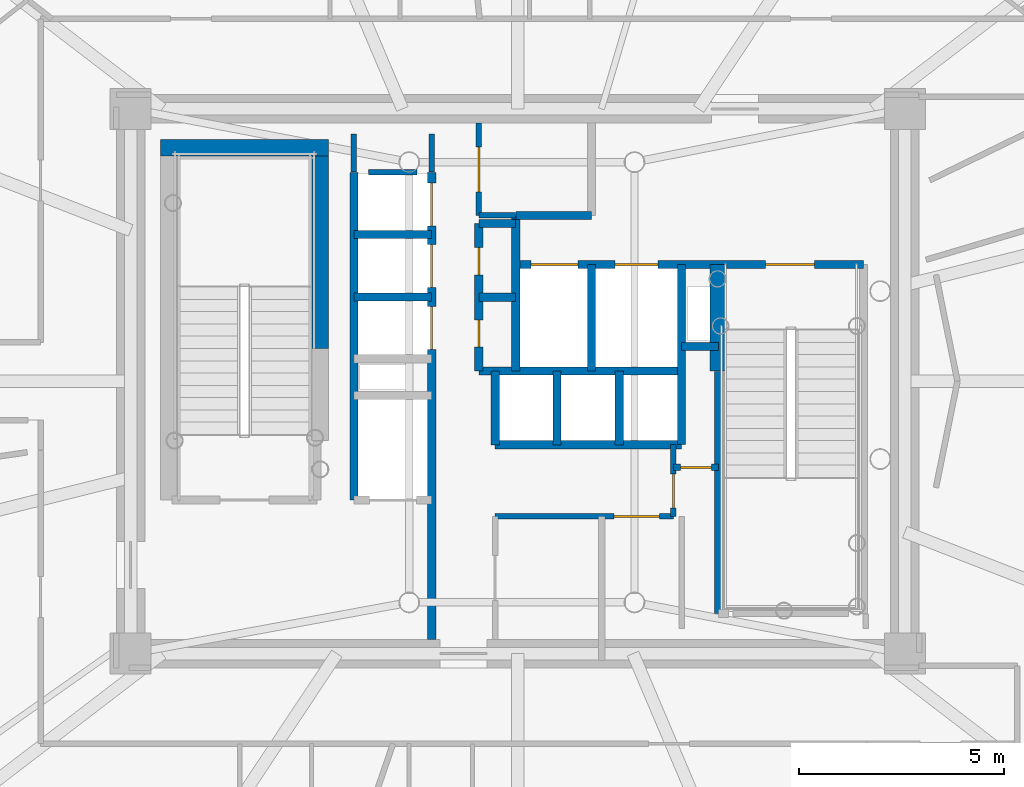
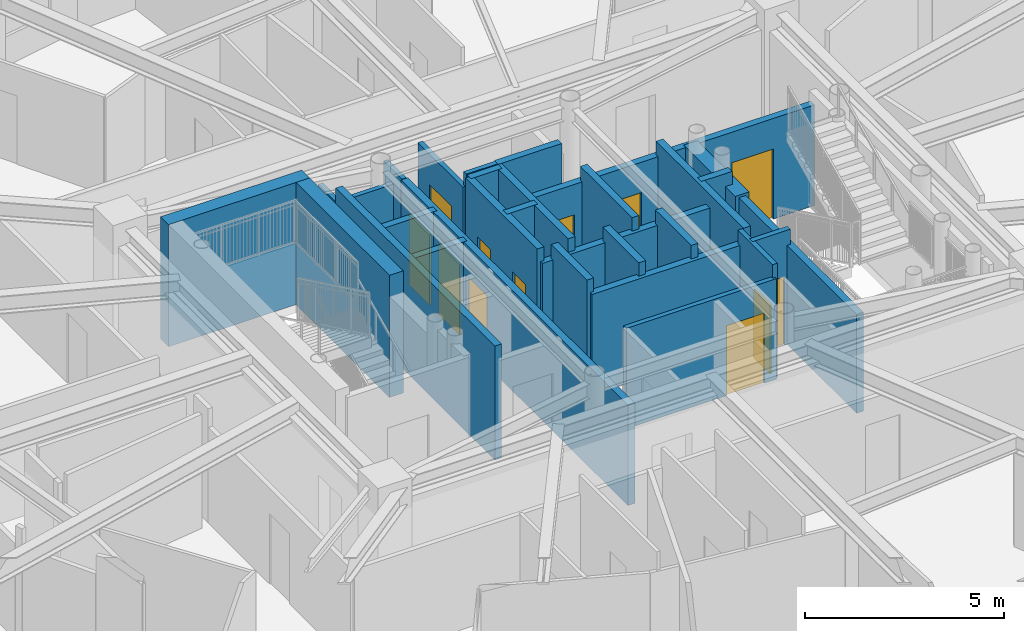
# One storey, part 9 of 19: 30 walls, 12 doors, 12 openings.
"""IFC4 building model written with IfcOpenShell, lengths in metres."""

from ifc_helpers import new_model, si_unit, direction, frame, frame_2d, origin, origin_2d, place, context, subcontext, project, spatial, rectangle, extrude, source, transform, mapped, material, layer, layer_set, type_object, element, fill, save


model = new_model("IFC4")

# Units and contexts
model_context = context("Model", 3, precision=1e-05, world=origin(), true_north=direction((0.0, 1.0)))
body_context = subcontext(model_context, "Body", "Model", "MODEL_VIEW")
ifc_project = project(units=[si_unit("LENGTHUNIT", "METRE"), si_unit("AREAUNIT", "SQUARE_METRE"), si_unit("VOLUMEUNIT", "CUBIC_METRE"), si_unit("PLANEANGLEUNIT", "RADIAN"), si_unit("MASSUNIT", "GRAM", prefix="KILO")], contexts=[model_context])

# Site, building, storey
site_placement = place(None, origin())
site = spatial("IfcSite", under=ifc_project, at=site_placement, CompositionType="ELEMENT")
building_placement = place(site_placement, origin())
building = spatial("IfcBuilding", under=site, at=building_placement, Name="Linh Dai School and Residence Tower", CompositionType="ELEMENT")
storey_placement = place(building_placement, frame((0.0, 0.0, 236.550048828125)))
storey = spatial("IfcBuildingStorey", under=building, at=storey_placement, Name="L58", CompositionType="ELEMENT", Elevation=236.550048828125)

# Wall, opening, door
ifc_material_1 = material(Name="Autoclaved Aerated Concrete Blockwork", Category="masonry")
ifc_layer_1 = layer(ifc_material_1, 0.135009765625)
ifc_layer_set_1 = layer_set([ifc_layer_1], Name="Autoclaved Aerated Concrete Blockwork")
wall_type_1 = type_object("IfcWallType", Name="IW-CORR-135-EI90", PredefinedType="PARTITIONING", material=ifc_layer_set_1)
wall_1_placement = place(storey_placement, frame((35.050048828125, 31.050048828125, 0.0), z_axis=(0.0, 0.0, 1.0), x_axis=(0.0, 1.0, 0.0)))
wall_1 = element("IfcWall", 1, at=wall_1_placement, inside=storey, type_object=wall_type_1, Name="L58 Interior Partition Wall 050", PredefinedType="PARTITIONING", context=body_context, shape_type="SweptSolid", body=[
    extrude(rectangle(XDim=2.25, YDim=0.135009765625, at=frame_2d((1.125, 0.0))), origin(), (0.0, 0.0, 1.0), 3.0849609375),
])
opening_1_placement = place(wall_1_placement, frame((0.574951171875, 0.0, 0.0)))
opening_1 = element("IfcOpeningElement", 2, at=opening_1_placement, cuts=wall_1, Name="Opening D07", PredefinedType="OPENING", context=body_context, shape_type="SweptSolid", body=[
    extrude(rectangle(XDim=1.10009765625, YDim=2.14990234375, at=origin_2d()), frame((0.550048828125, 0.07763671875, 1.074951171875), z_axis=(0.0, -1.0, 0.0), x_axis=(1.0, 0.0, 0.0)), (0.0, 0.0, 1.0), 0.155029296875),
])
ifc_material_2 = material(Name="Fire-Rated Louvred Steel Plant Door", Category="steel")
door_type_1 = type_object("IfcDoorType", Name="DR-PLT-1100x2150-FD60S", OperationType="NOTDEFINED", PredefinedType="DOOR", material=ifc_material_2)
shared_shape_1 = source(origin(), body_context, "Body", "SweptSolid", [
    extrude(rectangle(XDim=1.10009765625, YDim=2.14990234375, at=origin_2d()), frame((0.550048828125, 0.02490234375, 1.074951171875), z_axis=(0.0, -1.0, 0.0), x_axis=(1.0, 0.0, 0.0)), (0.0, 0.0, 1.0), 0.050048828125),
])
door_1_placement = place(opening_1_placement, origin())
door_1 = element("IfcDoor", 3, at=door_1_placement, inside=storey, type_object=door_type_1, Name="L58 North Telecom Switchroom Door", OperationType="SINGLE_SWING_RIGHT", OverallHeight=2.14990234375, OverallWidth=1.10009765625, PredefinedType="DOOR", context=body_context, shape_type="MappedRepresentation", body=[
    mapped(shared_shape_1, transform((0.0, 0.0, 0.0), x_axis=(1.0, 0.0, 0.0), y_axis=(0.0, 1.0, 0.0), z_axis=(0.0, 0.0, 1.0), scale=1.0)),
])
fill(opening_1, door_1)

# Wall
wall_2_placement = place(storey_placement, frame((35.050048828125, 31.050048828125, 0.0), z_axis=(0.0, 0.0, 1.0), x_axis=(1.0, 0.0, 0.0)))
element("IfcWall", 4, at=wall_2_placement, inside=storey, type_object=wall_type_1, Name="L58 Interior Partition Wall 051", PredefinedType="PARTITIONING", context=body_context, shape_type="SweptSolid", body=[
    extrude(rectangle(XDim=0.89990234375, YDim=0.135009765625, at=frame_2d((0.449951171875, 0.0))), origin(), (0.0, 0.0, 1.0), 3.5),
])

# Wall, opening, door
wall_3_placement = place(storey_placement, frame((35.449951171875, 23.699951171875, 0.0), z_axis=(0.0, 0.0, 1.0), x_axis=(1.0, 0.0, 0.0)))
wall_3 = element("IfcWall", 5, at=wall_3_placement, inside=storey, type_object=wall_type_1, Name="L58 Interior Partition Wall 053", PredefinedType="PARTITIONING", context=body_context, shape_type="SweptSolid", body=[
    extrude(rectangle(XDim=4.35009765625, YDim=0.135009765625, at=frame_2d((2.175048828125, 0.0))), origin(), (0.0, 0.0, 1.0), 3.0849609375),
])
opening_2_placement = place(wall_3_placement, frame((2.905029296875, 0.0, 0.0)))
opening_2 = element("IfcOpeningElement", 6, at=opening_2_placement, cuts=wall_3, Name="Opening D07", PredefinedType="OPENING", context=body_context, shape_type="SweptSolid", body=[
    extrude(rectangle(XDim=1.10009765625, YDim=2.14990234375, at=origin_2d()), frame((0.550048828125, 0.07763671875, 1.074951171875), z_axis=(0.0, -1.0, 0.0), x_axis=(1.0, 0.0, 0.0)), (0.0, 0.0, 1.0), 0.155029296875),
])
door_2_placement = place(opening_2_placement, origin())
door_2 = element("IfcDoor", 7, at=door_2_placement, inside=storey, type_object=door_type_1, Name="L58 Telecom Node Room Door", OperationType="SINGLE_SWING_LEFT", OverallHeight=2.14990234375, OverallWidth=1.10009765625, PredefinedType="DOOR", context=body_context, shape_type="MappedRepresentation", body=[
    mapped(shared_shape_1, transform((0.0, 0.0, 0.0), x_axis=(1.0, 0.0, 0.0), y_axis=(0.0, 1.0, 0.0), z_axis=(0.0, 0.0, 1.0), scale=1.0)),
])
fill(opening_2, door_2)

wall_4_placement = place(storey_placement, frame((39.800048828125, 23.699951171875, 0.0), z_axis=(0.0, 0.0, 1.0), x_axis=(0.0, 1.0, 0.0)))
wall_4 = element("IfcWall", 8, at=wall_4_placement, inside=storey, type_object=wall_type_1, Name="L58 Interior Partition Wall 070", PredefinedType="PARTITIONING", context=body_context, shape_type="SweptSolid", body=[
    extrude(rectangle(XDim=1.75, YDim=0.135009765625, at=frame_2d((0.875, 0.0))), origin(), (0.0, 0.0, 1.0), 3.5),
])
opening_3_placement = place(wall_4_placement, frame((0.2099609375, 0.0, 0.0)))
opening_3 = element("IfcOpeningElement", 9, at=opening_3_placement, cuts=wall_4, Name="Opening D06", PredefinedType="OPENING", context=body_context, shape_type="SweptSolid", body=[
    extrude(rectangle(XDim=0.820068359375, YDim=2.10009765625, at=origin_2d()), frame((0.41015625, 0.07763671875, 1.050048828125), z_axis=(0.0, -1.0, 0.0), x_axis=(1.0, 0.0, 0.0)), (0.0, 0.0, 1.0), 0.155029296875),
])
ifc_material_3 = material(Name="Moisture-Resistant Timber Bathroom Door", Category="wood")
door_type_2 = type_object("IfcDoorType", Name="DR-WET-820x2100", OperationType="NOTDEFINED", PredefinedType="DOOR", material=ifc_material_3)
shared_shape_2 = source(origin(), body_context, "Body", "SweptSolid", [
    extrude(rectangle(XDim=0.820068359375, YDim=2.10009765625, at=origin_2d()), frame((0.41015625, 0.02490234375, 1.050048828125), z_axis=(0.0, -1.0, 0.0), x_axis=(1.0, 0.0, 0.0)), (0.0, 0.0, 1.0), 0.050048828125),
])
door_3_placement = place(opening_3_placement, origin())
door_3 = element("IfcDoor", 10, at=door_3_placement, inside=storey, type_object=door_type_2, Name="L58 SE Electrical Closet Door", OperationType="SINGLE_SWING_LEFT", OverallHeight=2.10009765625, OverallWidth=0.820068359375, PredefinedType="DOOR", context=body_context, shape_type="MappedRepresentation", body=[
    mapped(shared_shape_2, transform((0.0, 0.0, 0.0), x_axis=(1.0, 0.0, 0.0), y_axis=(0.0, 1.0, 0.0), z_axis=(0.0, 0.0, 1.0), scale=1.0)),
])
fill(opening_3, door_3)

# Walls
wall_5_placement = place(storey_placement, frame((32.360107421875, 32.10009765625, 0.0), z_axis=(0.0, 0.0, 1.0), x_axis=(1.0, 0.0, 0.0)))
element("IfcWall", 11, at=wall_5_placement, inside=storey, type_object=wall_type_1, Name="L58 Interior Partition Wall 102", PredefinedType="PARTITIONING", context=body_context, shape_type="SweptSolid", body=[
    extrude(rectangle(XDim=1.179931640625, YDim=0.135009765625, at=frame_2d((0.58984375, 0.0))), origin(), (0.0, 0.0, 1.0), 3.0849609375),
])
wall_6_placement = place(storey_placement, frame((32.0, 33.0400390625, 0.0), z_axis=(0.0, 0.0, 1.0), x_axis=(0.0, -1.0, 0.0)))
element("IfcWall", 12, at=wall_6_placement, inside=storey, type_object=wall_type_1, Name="L58 Interior Partition Wall 104", PredefinedType="PARTITIONING", context=body_context, shape_type="SweptSolid", body=[
    extrude(rectangle(XDim=0.929931640625, YDim=0.135009765625, at=frame_2d((0.46484375, 0.0))), origin(), (0.0, 0.0, 1.0), 3.034912109375),
])
wall_7_placement = place(storey_placement, frame((33.89990234375, 32.110107421875, 0.0), z_axis=(0.0, 0.0, 1.0), x_axis=(0.0, 1.0, 0.0)))
element("IfcWall", 13, at=wall_7_placement, inside=storey, type_object=wall_type_1, Name="L58 Interior Partition Wall 106", PredefinedType="PARTITIONING", context=body_context, shape_type="SweptSolid", body=[
    extrude(rectangle(XDim=0.929931640625, YDim=0.135009765625, at=frame_2d((0.46484375, 0.0))), origin(), (0.0, 0.0, 1.0), 3.0849609375),
])

# Wall, opening, door
ifc_layer_2 = layer(ifc_material_1, 0.14990234375)
ifc_layer_set_2 = layer_set([ifc_layer_2], Name="Autoclaved Aerated Concrete Blockwork")
wall_type_2 = type_object("IfcWallType", Name="IW-SCH-150-EI60", PredefinedType="PARTITIONING", material=ifc_layer_set_2)
wall_8_placement = place(storey_placement, frame((39.800048828125, 24.89990234375, 0.0), z_axis=(0.0, 0.0, 1.0), x_axis=(1.0, 0.0, 0.0)))
wall_8 = element("IfcWall", 14, at=wall_8_placement, inside=storey, type_object=wall_type_2, Name="L58 Interior Partition Wall 071", PredefinedType="PARTITIONING", context=body_context, shape_type="SweptSolid", body=[
    extrude(rectangle(XDim=1.099853515625, YDim=0.14990234375, at=frame_2d((0.5498046875, 0.0))), origin(), (0.0, 0.0, 1.0), 3.5),
])
opening_4_placement = place(wall_8_placement, frame((0.169921875, 0.0, 0.0)))
opening_4 = element("IfcOpeningElement", 15, at=opening_4_placement, cuts=wall_8, Name="Opening D08", PredefinedType="OPENING", context=body_context, shape_type="SweptSolid", body=[
    extrude(rectangle(XDim=0.760009765625, YDim=2.10009765625, at=origin_2d()), frame((0.3798828125, 0.0849609375, 1.050048828125), z_axis=(0.0, -1.0, 0.0), x_axis=(1.0, 0.0, 0.0)), (0.0, 0.0, 1.0), 0.169921875),
])
ifc_material_4 = material(Name="Engineered Timber Closet and Study Door", Category="wood")
door_type_3 = type_object("IfcDoorType", Name="DR-CMP-760x2100", OperationType="NOTDEFINED", PredefinedType="DOOR", material=ifc_material_4)
shared_shape_3 = source(origin(), body_context, "Body", "SweptSolid", [
    extrude(rectangle(XDim=0.760009765625, YDim=2.10009765625, at=origin_2d()), frame((0.3798828125, 0.02490234375, 1.050048828125), z_axis=(0.0, -1.0, 0.0), x_axis=(1.0, 0.0, 0.0)), (0.0, 0.0, 1.0), 0.050048828125),
])
door_4_placement = place(opening_4_placement, origin())
door_4 = element("IfcDoor", 16, at=door_4_placement, inside=storey, type_object=door_type_3, Name="L58 NE Equipment Store Door", OperationType="SINGLE_SWING_RIGHT", OverallHeight=2.10009765625, OverallWidth=0.760009765625, PredefinedType="DOOR", context=body_context, shape_type="MappedRepresentation", body=[
    mapped(shared_shape_3, transform((0.0, 0.0, 0.0), x_axis=(1.0, 0.0, 0.0), y_axis=(0.0, 1.0, 0.0), z_axis=(0.0, 0.0, 1.0), scale=1.0)),
])
fill(opening_4, door_4)

# Walls
ifc_material_5 = material(Name="Concrete B45 (C35/45)", Category="concrete")
ifc_layer_3 = layer(ifc_material_5, 0.199951171875)
ifc_layer_set_3 = layer_set([ifc_layer_3], Name="Concrete B45 (C35/45)")
wall_type_3 = type_object("IfcWallType", Name="IW-SHAFT-200-EI120", PredefinedType="PARTITIONING", material=ifc_layer_set_3)
wall_9_placement = place(storey_placement, frame((32.0, 24.10009765625, 0.0), z_axis=(0.0, 0.0, 1.0), x_axis=(0.0, 1.0, 0.0)))
element("IfcWall", 17, at=wall_9_placement, inside=storey, type_object=wall_type_3, Name="L58 Interior Partition Wall 035", PredefinedType="PARTITIONING", context=body_context, shape_type="SweptSolid", body=[
    extrude(rectangle(XDim=8.0, YDim=0.199951171875, at=frame_2d((4.0, 0.0))), origin(), (0.0, 0.0, 1.0), 3.5),
])
for number, where, z_axis, x_axis, name in (
    (18, (32.0, 29.06005859375, 0.0), (0.0, 0.0, 1.0), (1.0, 0.0, 0.0), "L58 Interior Partition Wall 039"),
    (19, (32.0, 30.580078125, 0.0), (0.0, 0.0, 1.0), (1.0, 0.0, 0.0), "L58 Interior Partition Wall 040"),
):
    element("IfcWall", number, at=place(storey_placement, frame(where, z_axis=z_axis, x_axis=x_axis)), inside=storey, type_object=wall_type_3, Name=name, PredefinedType="PARTITIONING", context=body_context, shape_type="SweptSolid", body=[
        extrude(rectangle(XDim=1.89990234375, YDim=0.199951171875, at=frame_2d((0.949951171875, 0.0))), origin(), (0.0, 0.0, 1.0), 3.0849609375),
    ])

# Wall, openings, doors
wall_10_placement = place(storey_placement, frame((33.89990234375, 20.699951171875, 0.0), z_axis=(0.0, 0.0, 1.0), x_axis=(0.0, 1.0, 0.0)))
wall_10 = element("IfcWall", 20, at=wall_10_placement, inside=storey, type_object=wall_type_3, Name="L58 Interior Partition Wall 043", PredefinedType="PARTITIONING", context=body_context, shape_type="SweptSolid", body=[
    extrude(rectangle(XDim=11.400146484375, YDim=0.199951171875, at=frame_2d((5.7001953125, 0.0))), origin(), (0.0, 0.0, 1.0), 3.0849609375),
])
opening_5_placement = place(wall_10_placement, frame((7.080078125, 0.0, 0.0)))
opening_5 = element("IfcOpeningElement", 21, at=opening_5_placement, cuts=wall_10, Name="Opening LD-PL4", PredefinedType="OPENING", context=body_context, shape_type="SweptSolid", body=[
    extrude(rectangle(XDim=1.050048828125, YDim=2.14990234375, at=origin_2d()), frame((0.52490234375, 0.10986328125, 1.074951171875), z_axis=(0.0, -1.0, 0.0), x_axis=(1.0, 0.0, 0.0)), (0.0, 0.0, 1.0), 0.219970703125),
])
opening_6_placement = place(wall_10_placement, frame((8.594970703125, 0.0, 0.0)))
opening_6 = element("IfcOpeningElement", 22, at=opening_6_placement, cuts=wall_10, Name="Opening LD-PL5", PredefinedType="OPENING", context=body_context, shape_type="SweptSolid", body=[
    extrude(rectangle(XDim=1.050048828125, YDim=2.14990234375, at=origin_2d()), frame((0.52490234375, 0.10986328125, 1.074951171875), z_axis=(0.0, -1.0, 0.0), x_axis=(1.0, 0.0, 0.0)), (0.0, 0.0, 1.0), 0.219970703125),
])
opening_7_placement = place(wall_10_placement, frame((10.094970703125, 0.0, 0.0)))
opening_7 = element("IfcOpeningElement", 23, at=opening_7_placement, cuts=wall_10, Name="Opening LD-PL6", PredefinedType="OPENING", context=body_context, shape_type="SweptSolid", body=[
    extrude(rectangle(XDim=1.050048828125, YDim=2.14990234375, at=origin_2d()), frame((0.52490234375, 0.10986328125, 1.074951171875), z_axis=(0.0, -1.0, 0.0), x_axis=(1.0, 0.0, 0.0)), (0.0, 0.0, 1.0), 0.219970703125),
])
ifc_material_6 = material(Name="Brushed Stainless Steel Lift Landing Door", Category="steel")
door_type_4 = type_object("IfcDoorType", Name="DR-LD-PASS-1050x2150", OperationType="DOUBLE_DOOR_SLIDING", PredefinedType="USERDEFINED", material=ifc_material_6)
shared_shape_4 = source(origin(), body_context, "Body", "SweptSolid", [
    extrude(rectangle(XDim=1.050048828125, YDim=2.14990234375, at=origin_2d()), frame((0.52490234375, 0.02490234375, 1.074951171875), z_axis=(0.0, -1.0, 0.0), x_axis=(1.0, 0.0, 0.0)), (0.0, 0.0, 1.0), 0.050048828125),
])
door_5_placement = place(opening_5_placement, origin())
door_5 = element("IfcDoor", 24, at=door_5_placement, inside=storey, type_object=door_type_4, Name="L58 Lift PL4 Sliding Landing Door", ObjectType="LANDING DOOR", OperationType="DOUBLE_DOOR_SLIDING", OverallHeight=2.14990234375, OverallWidth=1.050048828125, PredefinedType="USERDEFINED", context=body_context, shape_type="MappedRepresentation", body=[
    mapped(shared_shape_4, transform((0.0, 0.0, 0.0), x_axis=(1.0, 0.0, 0.0), y_axis=(0.0, 1.0, 0.0), z_axis=(0.0, 0.0, 1.0), scale=1.0)),
])
fill(opening_5, door_5)
door_6_placement = place(opening_6_placement, origin())
door_6 = element("IfcDoor", 25, at=door_6_placement, inside=storey, type_object=door_type_4, Name="L58 Lift PL5 Sliding Landing Door", ObjectType="LANDING DOOR", OperationType="DOUBLE_DOOR_SLIDING", OverallHeight=2.14990234375, OverallWidth=1.050048828125, PredefinedType="USERDEFINED", context=body_context, shape_type="MappedRepresentation", body=[
    mapped(shared_shape_4, transform((0.0, 0.0, 0.0), x_axis=(1.0, 0.0, 0.0), y_axis=(0.0, 1.0, 0.0), z_axis=(0.0, 0.0, 1.0), scale=1.0)),
])
fill(opening_6, door_6)
door_7_placement = place(opening_7_placement, origin())
door_7 = element("IfcDoor", 26, at=door_7_placement, inside=storey, type_object=door_type_4, Name="L58 Lift PL6 Sliding Landing Door", ObjectType="LANDING DOOR", OperationType="DOUBLE_DOOR_SLIDING", OverallHeight=2.14990234375, OverallWidth=1.050048828125, PredefinedType="USERDEFINED", context=body_context, shape_type="MappedRepresentation", body=[
    mapped(shared_shape_4, transform((0.0, 0.0, 0.0), x_axis=(1.0, 0.0, 0.0), y_axis=(0.0, 1.0, 0.0), z_axis=(0.0, 0.0, 1.0), scale=1.0)),
])
fill(opening_7, door_7)

wall_11_placement = place(storey_placement, frame((35.050048828125, 27.25, 0.0), z_axis=(0.0, 0.0, 1.0), x_axis=(0.0, 1.0, 0.0)))
wall_11 = element("IfcWall", 27, at=wall_11_placement, inside=storey, type_object=wall_type_3, Name="L58 Interior Partition Wall 046", PredefinedType="PARTITIONING", context=body_context, shape_type="SweptSolid", body=[
    extrude(rectangle(XDim=3.60009765625, YDim=0.199951171875, at=frame_2d((1.800048828125, 0.0))), origin(), (0.0, 0.0, 1.0), 3.5),
])
opening_8_placement = place(wall_11_placement, frame((0.590087890625, 0.0, 0.0)))
opening_8 = element("IfcOpeningElement", 28, at=opening_8_placement, cuts=wall_11, Name="Opening AD1", PredefinedType="OPENING", context=body_context, shape_type="SweptSolid", body=[
    extrude(rectangle(XDim=0.659912109375, YDim=2.050048828125, at=origin_2d()), frame((0.330078125, 0.10986328125, 1.02490234375), z_axis=(0.0, -1.0, 0.0), x_axis=(1.0, 0.0, 0.0)), (0.0, 0.0, 1.0), 0.219970703125),
])
opening_9_placement = place(wall_11_placement, frame((2.35009765625, 0.0, 0.0)))
opening_9 = element("IfcOpeningElement", 29, at=opening_9_placement, cuts=wall_11, Name="Opening AD1", PredefinedType="OPENING", context=body_context, shape_type="SweptSolid", body=[
    extrude(rectangle(XDim=0.659912109375, YDim=2.050048828125, at=origin_2d()), frame((0.330078125, 0.10986328125, 1.02490234375), z_axis=(0.0, -1.0, 0.0), x_axis=(1.0, 0.0, 0.0)), (0.0, 0.0, 1.0), 0.219970703125),
])
ifc_material_7 = material(Name="Fire-Rated Steel Riser Access Door", Category="steel")
door_type_5 = type_object("IfcDoorType", Name="DR-ACC-660x2050-FD90S", OperationType="NOTDEFINED", PredefinedType="USERDEFINED", material=ifc_material_7)
shared_shape_5 = source(origin(), body_context, "Body", "SweptSolid", [
    extrude(rectangle(XDim=0.659912109375, YDim=2.050048828125, at=origin_2d()), frame((0.330078125, 0.02490234375, 1.02490234375), z_axis=(0.0, -1.0, 0.0), x_axis=(1.0, 0.0, 0.0)), (0.0, 0.0, 1.0), 0.050048828125),
])
door_8_placement = place(opening_8_placement, origin())
door_8 = element("IfcDoor", 30, at=door_8_placement, inside=storey, type_object=door_type_5, Name="L58 Telecom and Data Riser Access Door", ObjectType="ACCESS DOOR", OperationType="SINGLE_SWING_RIGHT", OverallHeight=2.050048828125, OverallWidth=0.659912109375, PredefinedType="USERDEFINED", context=body_context, shape_type="MappedRepresentation", body=[
    mapped(shared_shape_5, transform((0.0, 0.0, 0.0), x_axis=(1.0, 0.0, 0.0), y_axis=(0.0, 1.0, 0.0), z_axis=(0.0, 0.0, 1.0), scale=1.0)),
])
fill(opening_8, door_8)
door_9_placement = place(opening_9_placement, origin())
door_9 = element("IfcDoor", 31, at=door_9_placement, inside=storey, type_object=door_type_5, Name="L58 Mechanical and Plumbing Riser Access Door", ObjectType="ACCESS DOOR", OperationType="SINGLE_SWING_LEFT", OverallHeight=2.050048828125, OverallWidth=0.659912109375, PredefinedType="USERDEFINED", context=body_context, shape_type="MappedRepresentation", body=[
    mapped(shared_shape_5, transform((0.0, 0.0, 0.0), x_axis=(1.0, 0.0, 0.0), y_axis=(0.0, 1.0, 0.0), z_axis=(0.0, 0.0, 1.0), scale=1.0)),
])
fill(opening_9, door_9)

# Walls
wall_12_placement = place(storey_placement, frame((35.050048828125, 27.25, 0.0), z_axis=(0.0, 0.0, 1.0), x_axis=(1.0, 0.0, 0.0)))
element("IfcWall", 32, at=wall_12_placement, inside=storey, type_object=wall_type_3, Name="L58 Interior Partition Wall 047", PredefinedType="PARTITIONING", context=body_context, shape_type="SweptSolid", body=[
    extrude(rectangle(XDim=4.949951171875, YDim=0.199951171875, at=frame_2d((2.47509765625, 0.0))), origin(), (0.0, 0.0, 1.0), 3.0849609375),
])
for number, where, z_axis, x_axis, name in (
    (33, (35.050048828125, 29.050048828125, 0.0), (0.0, 0.0, 1.0), (1.0, 0.0, 0.0), "L58 Interior Partition Wall 048"),
    (34, (35.050048828125, 30.85009765625, 0.0), (0.0, 0.0, 1.0), (1.0, 0.0, 0.0), "L58 Interior Partition Wall 049"),
):
    element("IfcWall", number, at=place(storey_placement, frame(where, z_axis=z_axis, x_axis=x_axis)), inside=storey, type_object=wall_type_3, Name=name, PredefinedType="PARTITIONING", context=body_context, shape_type="SweptSolid", body=[
        extrude(rectangle(XDim=0.89990234375, YDim=0.199951171875, at=frame_2d((0.449951171875, 0.0))), origin(), (0.0, 0.0, 1.0), 3.5),
    ])
wall_13_placement = place(storey_placement, frame((35.449951171875, 25.449951171875, 0.0), z_axis=(0.0, 0.0, 1.0), x_axis=(0.0, 1.0, 0.0)))
element("IfcWall", 35, at=wall_13_placement, inside=storey, type_object=wall_type_3, Name="L58 Interior Partition Wall 054", PredefinedType="PARTITIONING", context=body_context, shape_type="SweptSolid", body=[
    extrude(rectangle(XDim=1.800048828125, YDim=0.199951171875, at=frame_2d((0.89990234375, 0.0))), origin(), (0.0, 0.0, 1.0), 3.5),
])
wall_14_placement = place(storey_placement, frame((35.449951171875, 25.449951171875, 0.0), z_axis=(0.0, 0.0, 1.0), x_axis=(1.0, 0.0, 0.0)))
element("IfcWall", 36, at=wall_14_placement, inside=storey, type_object=wall_type_3, Name="L58 Interior Partition Wall 055", PredefinedType="PARTITIONING", context=body_context, shape_type="SweptSolid", body=[
    extrude(rectangle(XDim=4.550048828125, YDim=0.199951171875, at=frame_2d((2.27490234375, 0.0))), origin(), (0.0, 0.0, 1.0), 3.0849609375),
])
wall_15_placement = place(storey_placement, frame((35.949951171875, 27.25, 0.0), z_axis=(0.0, 0.0, 1.0), x_axis=(0.0, 1.0, 0.0)))
element("IfcWall", 37, at=wall_15_placement, inside=storey, type_object=wall_type_3, Name="L58 Interior Partition Wall 056", PredefinedType="PARTITIONING", context=body_context, shape_type="SweptSolid", body=[
    extrude(rectangle(XDim=3.800048828125, YDim=0.199951171875, at=frame_2d((1.89990234375, 0.0))), origin(), (0.0, 0.0, 1.0), 3.5),
])

# Wall, openings, doors
wall_16_placement = place(storey_placement, frame((35.949951171875, 29.85009765625, 0.0), z_axis=(0.0, 0.0, 1.0), x_axis=(1.0, 0.0, 0.0)))
wall_16 = element("IfcWall", 38, at=wall_16_placement, inside=storey, type_object=wall_type_3, Name="L58 Interior Partition Wall 057", PredefinedType="PARTITIONING", context=body_context, shape_type="SweptSolid", body=[
    extrude(rectangle(XDim=8.489990234375, YDim=0.199951171875, at=frame_2d((4.2451171875, 0.0))), origin(), (0.0, 0.0, 1.0), 3.0849609375),
])
opening_10_placement = place(wall_16_placement, frame((6.10009765625, 0.0, 0.0)))
opening_10 = element("IfcOpeningElement", 39, at=opening_10_placement, cuts=wall_16, Name="Opening D01", PredefinedType="OPENING", context=body_context, shape_type="SweptSolid", body=[
    extrude(rectangle(XDim=1.199951171875, YDim=2.14990234375, at=origin_2d()), frame((0.60009765625, 0.10986328125, 1.074951171875), z_axis=(0.0, -1.0, 0.0), x_axis=(1.0, 0.0, 0.0)), (0.0, 0.0, 1.0), 0.219970703125),
])
opening_11_placement = place(wall_16_placement, frame((0.3701171875, 0.0, 0.0)))
opening_11 = element("IfcOpeningElement", 40, at=opening_11_placement, cuts=wall_16, Name="Opening LD-FF1", PredefinedType="OPENING", context=body_context, shape_type="SweptSolid", body=[
    extrude(rectangle(XDim=1.14990234375, YDim=2.14990234375, at=origin_2d()), frame((0.574951171875, 0.10986328125, 1.074951171875), z_axis=(0.0, -1.0, 0.0), x_axis=(1.0, 0.0, 0.0)), (0.0, 0.0, 1.0), 0.219970703125),
])
opening_12_placement = place(wall_16_placement, frame((2.425048828125, 0.0, 0.0)))
opening_12 = element("IfcOpeningElement", 41, at=opening_12_placement, cuts=wall_16, Name="Opening LD-SV1", PredefinedType="OPENING", context=body_context, shape_type="SweptSolid", body=[
    extrude(rectangle(XDim=1.050048828125, YDim=2.14990234375, at=origin_2d()), frame((0.52490234375, 0.10986328125, 1.074951171875), z_axis=(0.0, -1.0, 0.0), x_axis=(1.0, 0.0, 0.0)), (0.0, 0.0, 1.0), 0.219970703125),
])
ifc_material_8 = material(Name="Fire-Rated Steel Door Leaf", Category="steel")
door_type_6 = type_object("IfcDoorType", Name="DR-STAIR-1200x2150-FD90S", OperationType="NOTDEFINED", PredefinedType="DOOR", material=ifc_material_8)
shared_shape_6 = source(origin(), body_context, "Body", "SweptSolid", [
    extrude(rectangle(XDim=1.199951171875, YDim=2.14990234375, at=origin_2d()), frame((0.60009765625, 0.02490234375, 1.074951171875), z_axis=(0.0, -1.0, 0.0), x_axis=(1.0, 0.0, 0.0)), (0.0, 0.0, 1.0), 0.050048828125),
])
door_10_placement = place(opening_10_placement, origin())
door_10 = element("IfcDoor", 42, at=door_10_placement, inside=storey, type_object=door_type_6, Name="L58 Core Smokeproof Exit Stair ST2 Door", OperationType="SINGLE_SWING_LEFT", OverallHeight=2.14990234375, OverallWidth=1.199951171875, PredefinedType="DOOR", context=body_context, shape_type="MappedRepresentation", body=[
    mapped(shared_shape_6, transform((0.0, 0.0, 0.0), x_axis=(1.0, 0.0, 0.0), y_axis=(0.0, 1.0, 0.0), z_axis=(0.0, 0.0, 1.0), scale=1.0)),
])
fill(opening_10, door_10)
ifc_material_9 = material(Name="Fire-Rated Stainless Steel Firefighting Lift Door", Category="steel")
door_type_7 = type_object("IfcDoorType", Name="DR-LD-FF-1150x2150-FD120", OperationType="DOUBLE_DOOR_SLIDING", PredefinedType="USERDEFINED", material=ifc_material_9)
shared_shape_7 = source(origin(), body_context, "Body", "SweptSolid", [
    extrude(rectangle(XDim=1.14990234375, YDim=2.14990234375, at=origin_2d()), frame((0.574951171875, 0.02490234375, 1.074951171875), z_axis=(0.0, -1.0, 0.0), x_axis=(1.0, 0.0, 0.0)), (0.0, 0.0, 1.0), 0.050048828125),
])
door_11_placement = place(opening_11_placement, origin())
door_11 = element("IfcDoor", 43, at=door_11_placement, inside=storey, type_object=door_type_7, Name="L58 Lift FF1 Sliding Landing Door", ObjectType="LANDING DOOR", OperationType="DOUBLE_DOOR_SLIDING", OverallHeight=2.14990234375, OverallWidth=1.14990234375, PredefinedType="USERDEFINED", context=body_context, shape_type="MappedRepresentation", body=[
    mapped(shared_shape_7, transform((0.0, 0.0, 0.0), x_axis=(1.0, 0.0, 0.0), y_axis=(0.0, 1.0, 0.0), z_axis=(0.0, 0.0, 1.0), scale=1.0)),
])
fill(opening_11, door_11)
door_12_placement = place(opening_12_placement, origin())
door_12 = element("IfcDoor", 44, at=door_12_placement, inside=storey, type_object=door_type_4, Name="L58 Lift SV1 Sliding Landing Door", ObjectType="LANDING DOOR", OperationType="DOUBLE_DOOR_SLIDING", OverallHeight=2.14990234375, OverallWidth=1.050048828125, PredefinedType="USERDEFINED", context=body_context, shape_type="MappedRepresentation", body=[
    mapped(shared_shape_4, transform((0.0, 0.0, 0.0), x_axis=(1.0, 0.0, 0.0), y_axis=(0.0, 1.0, 0.0), z_axis=(0.0, 0.0, 1.0), scale=1.0)),
])
fill(opening_12, door_12)

# Walls
wall_17_placement = place(storey_placement, frame((35.9599609375, 31.050048828125, 0.0), z_axis=(0.0, 0.0, 1.0), x_axis=(1.0, 0.0, 0.0)))
element("IfcWall", 45, at=wall_17_placement, inside=storey, type_object=wall_type_3, Name="L58 Interior Partition Wall 058", PredefinedType="PARTITIONING", context=body_context, shape_type="SweptSolid", body=[
    extrude(rectangle(XDim=1.840087890625, YDim=0.199951171875, at=frame_2d((0.919921875, 0.0))), origin(), (0.0, 0.0, 1.0), 3.5),
])
wall_18_placement = place(storey_placement, frame((36.9599609375, 25.449951171875, 0.0), z_axis=(0.0, 0.0, 1.0), x_axis=(0.0, 1.0, 0.0)))
element("IfcWall", 46, at=wall_18_placement, inside=storey, type_object=wall_type_3, Name="L58 Interior Partition Wall 063", PredefinedType="PARTITIONING", context=body_context, shape_type="SweptSolid", body=[
    extrude(rectangle(XDim=1.800048828125, YDim=0.199951171875, at=frame_2d((0.89990234375, 0.0))), origin(), (0.0, 0.0, 1.0), 3.5),
])
wall_19_placement = place(storey_placement, frame((37.800048828125, 27.25, 0.0), z_axis=(0.0, 0.0, 1.0), x_axis=(0.0, 1.0, 0.0)))
element("IfcWall", 47, at=wall_19_placement, inside=storey, type_object=wall_type_3, Name="L58 Interior Partition Wall 065", PredefinedType="PARTITIONING", context=body_context, shape_type="SweptSolid", body=[
    extrude(rectangle(XDim=2.60009765625, YDim=0.199951171875, at=frame_2d((1.300048828125, 0.0))), origin(), (0.0, 0.0, 1.0), 3.5),
])
wall_20_placement = place(storey_placement, frame((38.47998046875, 25.449951171875, 0.0), z_axis=(0.0, 0.0, 1.0), x_axis=(0.0, 1.0, 0.0)))
element("IfcWall", 48, at=wall_20_placement, inside=storey, type_object=wall_type_3, Name="L58 Interior Partition Wall 068", PredefinedType="PARTITIONING", context=body_context, shape_type="SweptSolid", body=[
    extrude(rectangle(XDim=1.800048828125, YDim=0.199951171875, at=frame_2d((0.89990234375, 0.0))), origin(), (0.0, 0.0, 1.0), 3.5),
])
wall_21_placement = place(storey_placement, frame((40.0, 25.449951171875, 0.0), z_axis=(0.0, 0.0, 1.0), x_axis=(0.0, 1.0, 0.0)))
element("IfcWall", 49, at=wall_21_placement, inside=storey, type_object=wall_type_3, Name="L58 Interior Partition Wall 072", PredefinedType="PARTITIONING", context=body_context, shape_type="SweptSolid", body=[
    extrude(rectangle(XDim=4.400146484375, YDim=0.199951171875, at=frame_2d((2.2001953125, 0.0))), origin(), (0.0, 0.0, 1.0), 3.5),
])
wall_22_placement = place(storey_placement, frame((40.0, 27.85009765625, 0.0), z_axis=(0.0, 0.0, 1.0), x_axis=(1.0, 0.0, 0.0)))
element("IfcWall", 50, at=wall_22_placement, inside=storey, type_object=wall_type_3, Name="L58 Interior Partition Wall 073", PredefinedType="PARTITIONING", context=body_context, shape_type="SweptSolid", body=[
    extrude(rectangle(XDim=0.89990234375, YDim=0.199951171875, at=frame_2d((0.449951171875, 0.0))), origin(), (0.0, 0.0, 1.0), 3.5),
])
wall_23_placement = place(storey_placement, frame((40.89990234375, 21.330078125, 0.0), z_axis=(0.0, 0.0, 1.0), x_axis=(0.0, 1.0, 0.0)))
element("IfcWall", 51, at=wall_23_placement, inside=storey, type_object=wall_type_3, Name="L58 Interior Partition Wall 074", PredefinedType="PARTITIONING", context=body_context, shape_type="SweptSolid", body=[
    extrude(rectangle(XDim=5.909912109375, YDim=0.199951171875, at=frame_2d((2.955078125, 0.0))), origin(), (0.0, 0.0, 1.0), 3.034912109375),
])
ifc_layer_4 = layer(ifc_material_5, 0.39990234375)
ifc_layer_set_4 = layer_set([ifc_layer_4], Name="Concrete B45 (C35/45)")
wall_type_4 = type_object("IfcWallType", Name="WL-CORE400", PredefinedType="SHEAR", material=ifc_layer_set_4)
wall_24_placement = place(storey_placement, frame((31.179931640625, 27.800048828125, 0.0), z_axis=(0.0, 0.0, 1.0), x_axis=(0.0, 1.0, 0.0)))
element("IfcWall", 52, at=wall_24_placement, inside=storey, type_object=wall_type_4, Name="L58 Core Stair ST1 Bearing Wall E", PredefinedType="SHEAR", context=body_context, shape_type="SweptSolid", body=[
    extrude(rectangle(XDim=4.89990234375, YDim=0.39990234375, at=frame_2d((2.449951171875, 0.0))), origin(), (0.0, 0.0, 1.0), 3.75),
])
wall_25_placement = place(storey_placement, frame((27.280029296875, 32.699951171875, 0.0), z_axis=(0.0, 0.0, 1.0), x_axis=(1.0, 0.0, 0.0)))
element("IfcWall", 53, at=wall_25_placement, inside=storey, type_object=wall_type_4, Name="L58 Core Stair ST1 Bearing Wall N", PredefinedType="SHEAR", context=body_context, shape_type="SweptSolid", body=[
    extrude(rectangle(XDim=4.099853515625, YDim=0.39990234375, at=frame_2d((2.0498046875, 0.0))), origin(), (0.0, 0.0, 1.0), 3.75),
])
wall_26_placement = place(storey_placement, frame((40.89990234375, 27.25, 0.0), z_axis=(0.0, 0.0, 1.0), x_axis=(0.0, 1.0, 0.0)))
element("IfcWall", 54, at=wall_26_placement, inside=storey, type_object=wall_type_4, Name="L58 Internal Core Shear Wall IE", PredefinedType="SHEAR", context=body_context, shape_type="SweptSolid", body=[
    extrude(rectangle(XDim=2.60009765625, YDim=0.39990234375, at=frame_2d((1.300048828125, 0.0))), origin(), (0.0, 0.0, 1.0), 3.099853515625),
])

save(model, "model.ifc")
